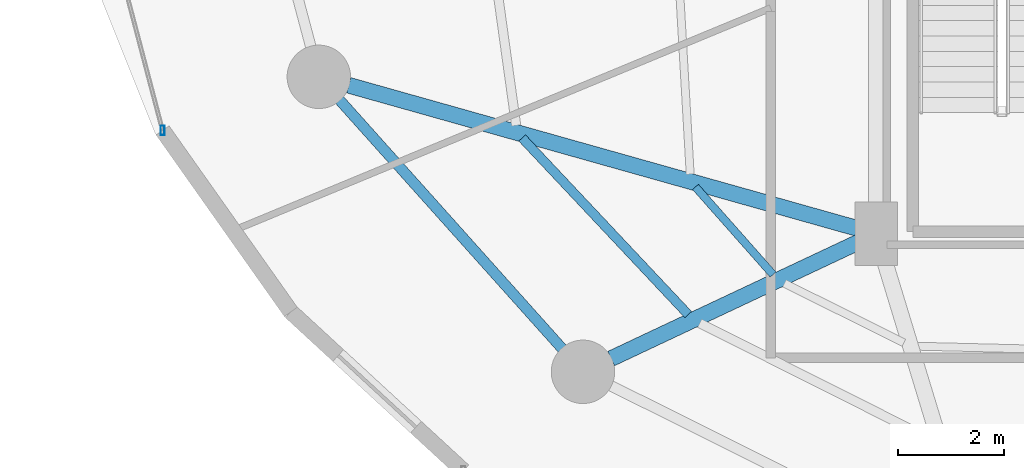
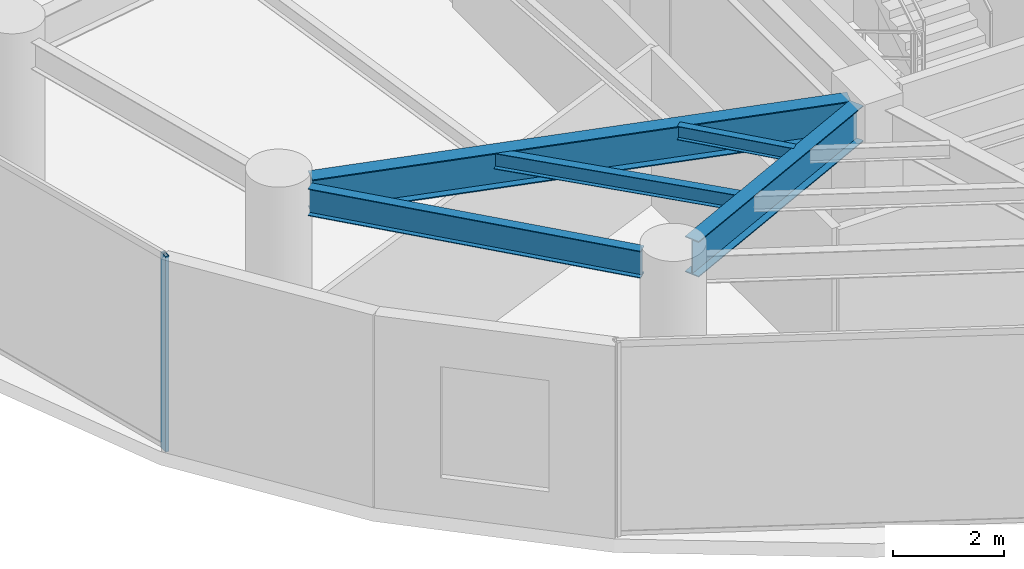
# One storey, part 3 of 27: 5 beams, 1 member, 1 element without a shape of its own.
"""IFC4 building model written with IfcOpenShell, lengths in metres."""

from ifc_helpers import new_model, si_unit, direction, frame, origin, origin_2d, place, context, subcontext, project, spatial, hollow_rectangle, i_section, extrude, material, material_profile, profile_set, type_object, element, aggregate, save


model = new_model("IFC4")

# Units and contexts
model_context = context("Model", 3, precision=1e-05, world=origin(), true_north=direction((0.0, 1.0)))
body_context = subcontext(model_context, "Body", "Model", "MODEL_VIEW")
ifc_project = project(units=[si_unit("LENGTHUNIT", "METRE"), si_unit("AREAUNIT", "SQUARE_METRE"), si_unit("VOLUMEUNIT", "CUBIC_METRE"), si_unit("PLANEANGLEUNIT", "RADIAN"), si_unit("MASSUNIT", "GRAM", prefix="KILO")], contexts=[model_context])

# Site, building, storey
site_placement = place(None, origin())
site = spatial("IfcSite", under=ifc_project, at=site_placement, CompositionType="ELEMENT")
building_placement = place(site_placement, origin())
building = spatial("IfcBuilding", under=site, at=building_placement, Name="Vorneva Point Tower", CompositionType="ELEMENT")
storey_placement = place(building_placement, frame((0.0, 0.0, 74.300048828125)))
storey = spatial("IfcBuildingStorey", under=building, at=storey_placement, Name="L19", CompositionType="ELEMENT", Elevation=74.300048828125)

# Beams
ifc_material_1 = material(Name="Steel S355", Category="steel")
ifc_material_profile_1 = material_profile(ifc_material_1, i_section(OverallWidth=0.300048828125, OverallDepth=0.7880859375, WebThickness=0.014404296875, FlangeThickness=0.02197265625, at=origin_2d()), Name="80Sh1")
ifc_profile_set_1 = profile_set([ifc_material_profile_1], Name="Steel S355")
beam_type_1 = type_object("IfcBeamType", Name="BM-GRD-80Sh1", PredefinedType="USERDEFINED", material=ifc_profile_set_1)
beam_1_placement = place(storey_placement, frame((17.2705078125, 19.258544921875, 3.845947265625), z_axis=(0.962601544905, -0.270921143042, 0.0), x_axis=(0.270921143042, 0.962601544905, 0.0)))
element("IfcBeam", 1, at=beam_1_placement, inside=storey, type_object=beam_type_1, Name="L19 Radial Primary Girder 10", ObjectType="GIRDER", PredefinedType="USERDEFINED", context=body_context, shape_type="SweptSolid", body=[
    extrude(i_section(OverallWidth=0.300048828125, OverallDepth=0.7880859375, WebThickness=0.014404296875, FlangeThickness=0.02197265625, at=origin_2d()), origin(), (0.0, 0.0, 1.0), 10.027099609375),
])
beam_2_placement = place(storey_placement, frame((22.233154296875, 14.088134765625, 3.845947265625), z_axis=(0.904749595176, 0.425943857836, 0.0), x_axis=(-0.425943857836, 0.904749595176, 0.0)))
element("IfcBeam", 2, at=beam_2_placement, inside=storey, type_object=beam_type_1, Name="L19 Radial Primary Girder 11", ObjectType="GIRDER", PredefinedType="USERDEFINED", context=body_context, shape_type="SweptSolid", body=[
    extrude(i_section(OverallWidth=0.300048828125, OverallDepth=0.7880859375, WebThickness=0.014404296875, FlangeThickness=0.02197265625, at=origin_2d()), origin(), (0.0, 0.0, 1.0), 5.205078125),
])
ifc_material_profile_2 = material_profile(ifc_material_1, i_section(OverallWidth=0.14892578125, OverallDepth=0.298095703125, WebThickness=0.005615234375, FlangeThickness=0.008056640625, at=origin_2d()), Name="30B1")
ifc_profile_set_2 = profile_set([ifc_material_profile_2], Name="Steel S355")
beam_type_2 = type_object("IfcBeamType", Name="BM-JST-30B1", PredefinedType="JOIST", material=ifc_profile_set_2)
beam_3_placement = place(storey_placement, frame((23.8291015625, 17.335205078125, 4.091064453125), z_axis=(0.66280221271, -0.748794515756, 0.0), x_axis=(0.748794515756, 0.66280221271, 0.0)))
element("IfcBeam", 3, at=beam_3_placement, inside=storey, type_object=beam_type_2, Name="L19 Secondary Floor Beam 2.10", PredefinedType="JOIST", context=body_context, shape_type="SweptSolid", body=[
    extrude(i_section(OverallWidth=0.14892578125, OverallDepth=0.298095703125, WebThickness=0.005615234375, FlangeThickness=0.008056640625, at=origin_2d()), origin(), (0.0, 0.0, 1.0), 2.214599609375),
])
ifc_material_profile_3 = material_profile(ifc_material_1, i_section(OverallWidth=0.174072265625, OverallDepth=0.345947265625, WebThickness=0.006103515625, FlangeThickness=0.009033203125, at=origin_2d()), Name="35B1")
ifc_profile_set_3 = profile_set([ifc_material_profile_3], Name="Steel S355")
beam_type_3 = type_object("IfcBeamType", Name="BM-SEC-35B1", PredefinedType="BEAM", material=ifc_profile_set_3)
beam_4_placement = place(storey_placement, frame((20.55029296875, 18.26171875, 4.06689453125), z_axis=(0.685084059092, -0.728464022432, 0.0), x_axis=(0.728464022432, 0.685084059092, 0.0)))
element("IfcBeam", 4, at=beam_4_placement, inside=storey, type_object=beam_type_3, Name="L19 Secondary Floor Beam 1.10", PredefinedType="BEAM", context=body_context, shape_type="SweptSolid", body=[
    extrude(i_section(OverallWidth=0.174072265625, OverallDepth=0.345947265625, WebThickness=0.006103515625, FlangeThickness=0.009033203125, at=origin_2d()), origin(), (0.0, 0.0, 1.0), 4.586669921875),
])
ifc_material_profile_4 = material_profile(ifc_material_1, i_section(OverallWidth=0.198974609375, OverallDepth=0.595947265625, WebThickness=0.010009765625, FlangeThickness=0.014892578125, at=origin_2d()), Name="60B1")
ifc_profile_set_4 = profile_set([ifc_material_profile_4], Name="Steel S355")
beam_type_4 = type_object("IfcBeamType", Name="BM-SPN-60B1", PredefinedType="SPANDREL", material=ifc_profile_set_4)
beam_5_placement = place(storey_placement, frame((17.0947265625, 18.98193359375, 3.94189453125), z_axis=(0.667116603584, -0.744953312109, 0.0), x_axis=(0.744953312109, 0.667116603584, 0.0)))
element("IfcBeam", 5, at=beam_5_placement, inside=storey, type_object=beam_type_4, Name="L19 Perimeter Spandrel Ring Beam 10", PredefinedType="SPANDREL", context=body_context, shape_type="SweptSolid", body=[
    extrude(i_section(OverallWidth=0.198974609375, OverallDepth=0.595947265625, WebThickness=0.010009765625, FlangeThickness=0.014892578125, at=origin_2d()), origin(), (0.0, 0.0, 1.0), 6.3203125),
])

# Curtain wall, member
ifc_material_2 = material(Name="Pale anodised aluminium", Category="aluminium")
curtain_wall_type = type_object("IfcCurtainWallType", Name="CW-SKY-SYS", PredefinedType="NOTDEFINED", material=ifc_material_2)
curtain_wall_placement = place(storey_placement, origin())
curtain_wall = element("IfcCurtainWall", 6, at=curtain_wall_placement, inside=storey, type_object=curtain_wall_type, Name="L19 Unitised Curtain Wall CW-L19-R03", PredefinedType="NOTDEFINED")
ifc_material_profile_5 = material_profile(ifc_material_2, hollow_rectangle(XDim=0.074951171875, YDim=0.179931640625, WallThickness=0.00390625, at=origin_2d()), Name="AL-MUL 180x75x4")
ifc_profile_set_5 = profile_set([ifc_material_profile_5], Name="Pale anodised aluminium")
member_type = type_object("IfcMemberType", Name="CW-MUL-180", PredefinedType="MULLION", material=ifc_profile_set_5)
member_placement = place(storey_placement, frame((13.748291015625, 18.40380859375, -0.0400390625), z_axis=(0.0, 0.0, 1.0), x_axis=(1.0, 0.0, 0.0)))
member = element("IfcMember", 7, at=member_placement, type_object=member_type, Name="CW-L19-R03 Mullion 03", PredefinedType="MULLION", context=body_context, shape_type="SweptSolid", body=[
    extrude(hollow_rectangle(XDim=0.074951171875, YDim=0.179931640625, WallThickness=0.00390625, at=origin_2d()), origin(), (0.0, 0.0, 1.0), 4.31005859375),
])
aggregate(curtain_wall, [member])

save(model, "model.ifc")
